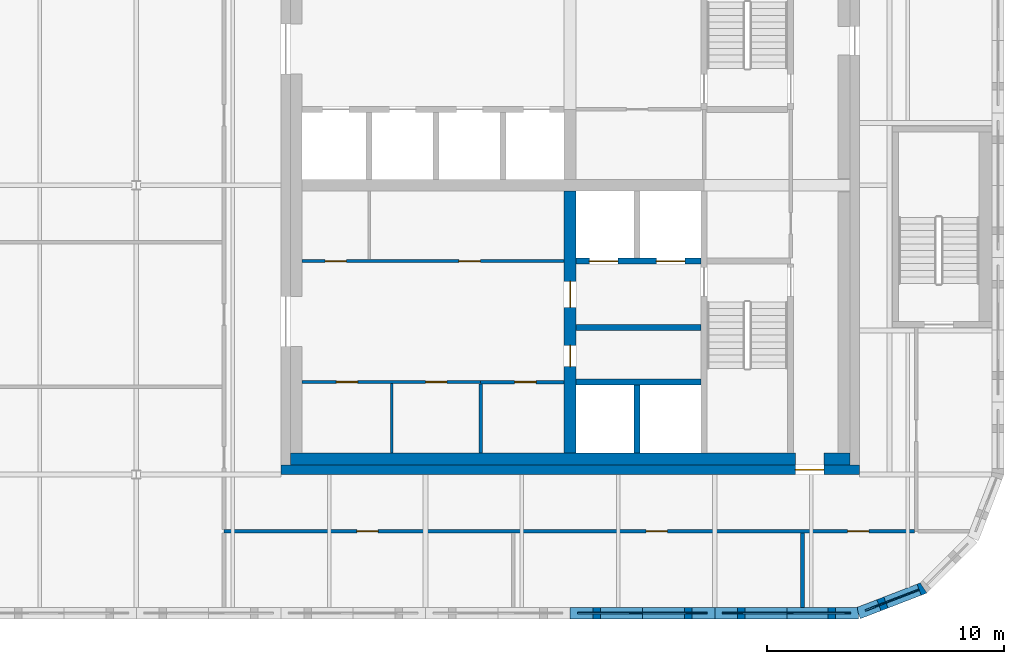
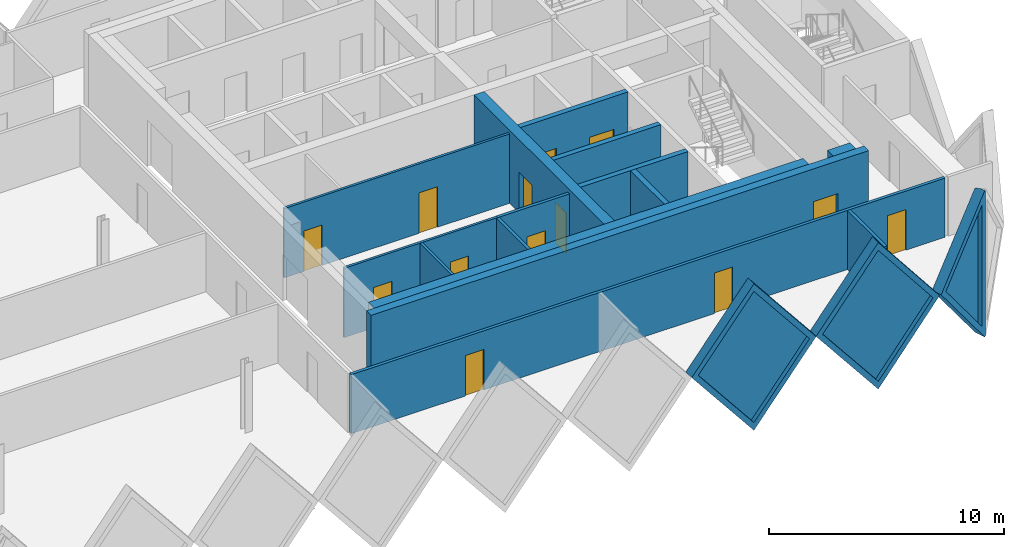
# One storey, part 5 of 11: 18 walls, 13 doors, 3 plates, 16 openings.
"""IFC4 building model written with IfcOpenShell, lengths in metres."""

from ifc_helpers import new_model, si_unit, direction, frame, frame_2d, origin, place, context, subcontext, project, spatial, polyline, rectangle, outline, extrude, faceted_brep, source, transform, mapped, material, layer, layer_set, type_object, element, fill, save


model = new_model("IFC4")

# Units and contexts
model_context = context("Model", 3, precision=1e-05, world=origin(), true_north=direction((0.0, 1.0)))
body_context = subcontext(model_context, "Body", "Model", "MODEL_VIEW")
ifc_project = project(units=[si_unit("LENGTHUNIT", "METRE"), si_unit("AREAUNIT", "SQUARE_METRE"), si_unit("VOLUMEUNIT", "CUBIC_METRE"), si_unit("PLANEANGLEUNIT", "RADIAN"), si_unit("MASSUNIT", "GRAM", prefix="KILO")], contexts=[model_context])

# Site, building, storey
site_placement = place(None, origin())
site = spatial("IfcSite", under=ifc_project, at=site_placement, CompositionType="ELEMENT")
building_placement = place(site_placement, origin())
building = spatial("IfcBuilding", under=site, at=building_placement, Name="Tessera Gate Towers", CompositionType="ELEMENT")
storey_placement = place(building_placement, frame((0.0, 0.0, 240.699951171875)))
storey = spatial("IfcBuildingStorey", under=building, at=storey_placement, Name="L60", CompositionType="ELEMENT", Elevation=240.699951171875)

# Wall, openings, doors
ifc_material_1 = material(Name="Concrete C40/50", Category="concrete")
ifc_layer_1 = layer(ifc_material_1, 0.25)
ifc_layer_set_1 = layer_set([ifc_layer_1], Name="CORE ENCLOSURE WALL 250")
wall_type_1 = type_object("IfcWallType", Name="CORE ENCLOSURE WALL 250", PredefinedType="SOLIDWALL", material=ifc_layer_set_1)
wall_1_placement = place(storey_placement, frame((48.22509765625, 33.39990234375, 0.0), z_axis=(0.0, 0.0, 1.0), x_axis=(-1.0, 0.0, 0.0)))
wall_1 = element("IfcWall", 1, at=wall_1_placement, inside=storey, type_object=wall_type_1, Name="L60 shaft and stair enclosure wall", PredefinedType="SOLIDWALL", context=body_context, shape_type="SweptSolid", body=[
    extrude(rectangle(XDim=5.275146484375, YDim=0.25, at=frame_2d((2.6376953125, 0.0))), origin(), (0.0, 0.0, 1.0), 3.800048828125),
])
shared_shape_1 = source(origin(), body_context, "Body", "SweptSolid", [
    extrude(rectangle(XDim=1.199951171875, YDim=2.10009765625, at=frame_2d((0.60009765625, 1.050048828125))), frame((0.0, 0.135009765625, 0.0), z_axis=(0.0, -1.0, 0.0), x_axis=(1.0, 0.0, 0.0)), (0.0, 0.0, 1.0), 0.27001953125),
])
opening_1_placement = place(wall_1_placement, frame((3.512451171875, 0.0, 0.0)))
opening_1 = element("IfcOpeningElement", 2, at=opening_1_placement, cuts=wall_1, Name="Opening LD-FF1", PredefinedType="OPENING", context=body_context, shape_type="MappedRepresentation", body=[
    mapped(shared_shape_1, transform((0.0, 0.0, 0.0), scale=1.0)),
])
opening_2_placement = place(wall_1_placement, frame((0.6875, 0.0, 0.0)))
opening_2 = element("IfcOpeningElement", 3, at=opening_2_placement, cuts=wall_1, Name="Opening LD-FF2", PredefinedType="OPENING", context=body_context, shape_type="MappedRepresentation", body=[
    mapped(shared_shape_1, transform((0.0, 0.0, 0.0), scale=1.0)),
])
ifc_material_2 = material(Name="Stainless steel", Category="steel")
door_type_1 = type_object("IfcDoorType", Name="CORE DOOR LD1200 1200x2100", OperationType="DOUBLE_DOOR_SLIDING", PredefinedType="DOOR", material=ifc_material_2)
shared_shape_2 = source(origin(), body_context, "Body", "SweptSolid", [
    extrude(rectangle(XDim=1.199951171875, YDim=2.10009765625, at=frame_2d((0.60009765625, 1.050048828125))), frame((0.0, 0.02490234375, 0.0), z_axis=(0.0, -1.0, 0.0), x_axis=(1.0, 0.0, 0.0)), (0.0, 0.0, 1.0), 0.050048828125),
])
door_1_placement = place(opening_1_placement, origin())
door_1 = element("IfcDoor", 4, at=door_1_placement, inside=storey, type_object=door_type_1, Name="Landing door FF1 L60", OperationType="DOUBLE_DOOR_SLIDING", OverallHeight=2.10009765625, OverallWidth=1.199951171875, PredefinedType="DOOR", context=body_context, shape_type="MappedRepresentation", body=[
    mapped(shared_shape_2, transform((0.0, 0.0, 0.0), scale=1.0)),
])
fill(opening_1, door_1)
door_2_placement = place(opening_2_placement, origin())
door_2 = element("IfcDoor", 5, at=door_2_placement, inside=storey, type_object=door_type_1, Name="Landing door FF2 L60", OperationType="DOUBLE_DOOR_SLIDING", OverallHeight=2.10009765625, OverallWidth=1.199951171875, PredefinedType="DOOR", context=body_context, shape_type="MappedRepresentation", body=[
    mapped(shared_shape_2, transform((0.0, 0.0, 0.0), scale=1.0)),
])
fill(opening_2, door_2)

# Walls
for number, where, z_axis, x_axis, name in (
    (6, (42.949951171875, 28.300048828125, 0.0), (0.0, 0.0, 1.0), (1.0, 0.0, 0.0), "L60 shaft and stair enclosure wall"),
    (7, (42.949951171875, 30.60009765625, 0.0), (0.0, 0.0, 1.0), (1.0, 0.0, 0.0), "L60 shaft and stair enclosure wall"),
):
    element("IfcWall", number, at=place(storey_placement, frame(where, z_axis=z_axis, x_axis=x_axis)), inside=storey, type_object=wall_type_1, Name=name, PredefinedType="SOLIDWALL", context=body_context, shape_type="SweptSolid", body=[
        extrude(rectangle(XDim=5.275146484375, YDim=0.25, at=frame_2d((2.6376953125, 0.0))), origin(), (0.0, 0.0, 1.0), 3.800048828125),
    ])
wall_2_placement = place(storey_placement, frame((45.52490234375, 25.300048828125, 0.0), z_axis=(0.0, 0.0, 1.0), x_axis=(0.0, 1.0, 0.0)))
element("IfcWall", 8, at=wall_2_placement, inside=storey, type_object=wall_type_1, Name="L60 shaft and stair enclosure wall", PredefinedType="SOLIDWALL", context=body_context, shape_type="SweptSolid", body=[
    extrude(rectangle(XDim=2.875, YDim=0.25, at=frame_2d((1.4375, 0.0))), origin(), (0.0, 0.0, 1.0), 3.800048828125),
])

# Wall, openings, doors
ifc_material_3 = material(Name="Gypsum board on steel studs", Category="steel")
ifc_layer_2 = layer(ifc_material_3, 0.1201171875)
ifc_layer_set_2 = layer_set([ifc_layer_2], Name="CORE PARTITION 120")
wall_type_2 = type_object("IfcWallType", Name="CORE PARTITION 120", PredefinedType="PARTITIONING", material=ifc_layer_set_2)
wall_3_placement = place(storey_placement, frame((31.39990234375, 33.39990234375, 0.0), z_axis=(0.0, 0.0, 1.0), x_axis=(1.0, 0.0, 0.0)))
wall_3 = element("IfcWall", 9, at=wall_3_placement, inside=storey, type_object=wall_type_2, Name="L60 core partition", PredefinedType="PARTITIONING", context=body_context, shape_type="SweptSolid", body=[
    extrude(rectangle(XDim=11.050048828125, YDim=0.1201171875, at=frame_2d((5.52490234375, 0.0))), origin(), (0.0, 0.0, 1.0), 3.60009765625),
])
shared_shape_3 = source(origin(), body_context, "Body", "SweptSolid", [
    extrude(rectangle(XDim=0.89990234375, YDim=2.10009765625, at=frame_2d((0.449951171875, 1.050048828125))), frame((0.0, 0.070068359375, 0.0), z_axis=(0.0, -1.0, 0.0), x_axis=(1.0, 0.0, 0.0)), (0.0, 0.0, 1.0), 0.14013671875),
])
opening_3_placement = place(wall_3_placement, frame((0.96240234375, 0.0, 0.0)))
opening_3 = element("IfcOpeningElement", 10, at=opening_3_placement, cuts=wall_3, Name="Opening RD-T1-36-07", PredefinedType="OPENING", context=body_context, shape_type="MappedRepresentation", body=[
    mapped(shared_shape_3, transform((0.0, 0.0, 0.0), scale=1.0)),
])
opening_4_placement = place(wall_3_placement, frame((6.612548828125, 0.0, 0.0)))
opening_4 = element("IfcOpeningElement", 11, at=opening_4_placement, cuts=wall_3, Name="Opening RD-T1-36-08", PredefinedType="OPENING", context=body_context, shape_type="MappedRepresentation", body=[
    mapped(shared_shape_3, transform((0.0, 0.0, 0.0), scale=1.0)),
])
ifc_material_4 = material(Name="Hollow steel fire door", Category="steel")
door_type_2 = type_object("IfcDoorType", Name="CORE DOOR RD 900x2100", OperationType="NOTDEFINED", PredefinedType="DOOR", material=ifc_material_4)
shared_shape_4 = source(origin(), body_context, "Body", "SweptSolid", [
    extrude(rectangle(XDim=0.89990234375, YDim=2.10009765625, at=frame_2d((0.449951171875, 1.050048828125))), frame((0.0, 0.02490234375, 0.0), z_axis=(0.0, -1.0, 0.0), x_axis=(1.0, 0.0, 0.0)), (0.0, 0.0, 1.0), 0.050048828125),
])
door_3_placement = place(opening_3_placement, origin())
door_3 = element("IfcDoor", 12, at=door_3_placement, inside=storey, type_object=door_type_2, Name="Core room door", OperationType="SINGLE_SWING_LEFT", OverallHeight=2.10009765625, OverallWidth=0.89990234375, PredefinedType="DOOR", context=body_context, shape_type="MappedRepresentation", body=[
    mapped(shared_shape_4, transform((0.0, 0.0, 0.0), scale=1.0)),
])
fill(opening_3, door_3)
door_4_placement = place(opening_4_placement, origin())
door_4 = element("IfcDoor", 13, at=door_4_placement, inside=storey, type_object=door_type_2, Name="Core room door", OperationType="SINGLE_SWING_RIGHT", OverallHeight=2.10009765625, OverallWidth=0.89990234375, PredefinedType="DOOR", context=body_context, shape_type="MappedRepresentation", body=[
    mapped(shared_shape_4, transform((0.0, 0.0, 0.0), scale=1.0)),
])
fill(opening_4, door_4)

wall_4_placement = place(storey_placement, frame((38.925048828125, 28.300048828125, 0.0), z_axis=(0.0, 0.0, 1.0), x_axis=(-1.0, 0.0, 0.0)))
wall_4 = element("IfcWall", 14, at=wall_4_placement, inside=storey, type_object=wall_type_2, Name="L60 core partition", PredefinedType="PARTITIONING", context=body_context, shape_type="SweptSolid", body=[
    extrude(rectangle(XDim=7.525146484375, YDim=0.1201171875, at=frame_2d((3.7626953125, 0.0))), origin(), (0.0, 0.0, 1.0), 3.60009765625),
])
opening_5_placement = place(wall_4_placement, frame((5.1875, 0.0, 0.0)))
opening_5 = element("IfcOpeningElement", 15, at=opening_5_placement, cuts=wall_4, Name="Opening RD-T1-36-09", PredefinedType="OPENING", context=body_context, shape_type="MappedRepresentation", body=[
    mapped(shared_shape_3, transform((0.0, 0.0, 0.0), scale=1.0)),
])
opening_6_placement = place(wall_4_placement, frame((1.425048828125, 0.0, 0.0)))
opening_6 = element("IfcOpeningElement", 16, at=opening_6_placement, cuts=wall_4, Name="Opening RD-T1-36-10", PredefinedType="OPENING", context=body_context, shape_type="MappedRepresentation", body=[
    mapped(shared_shape_3, transform((0.0, 0.0, 0.0), scale=1.0)),
])
door_5_placement = place(opening_5_placement, origin())
door_5 = element("IfcDoor", 17, at=door_5_placement, inside=storey, type_object=door_type_2, Name="Core room door", OperationType="SINGLE_SWING_RIGHT", OverallHeight=2.10009765625, OverallWidth=0.89990234375, PredefinedType="DOOR", context=body_context, shape_type="MappedRepresentation", body=[
    mapped(shared_shape_4, transform((0.0, 0.0, 0.0), scale=1.0)),
])
fill(opening_5, door_5)
door_6_placement = place(opening_6_placement, origin())
door_6 = element("IfcDoor", 18, at=door_6_placement, inside=storey, type_object=door_type_2, Name="Core room door", OperationType="SINGLE_SWING_LEFT", OverallHeight=2.10009765625, OverallWidth=0.89990234375, PredefinedType="DOOR", context=body_context, shape_type="MappedRepresentation", body=[
    mapped(shared_shape_4, transform((0.0, 0.0, 0.0), scale=1.0)),
])
fill(opening_6, door_6)

# Wall
wall_5_placement = place(storey_placement, frame((35.175048828125, 25.300048828125, 0.0), z_axis=(0.0, 0.0, 1.0), x_axis=(0.0, 1.0, 0.0)))
element("IfcWall", 19, at=wall_5_placement, inside=storey, type_object=wall_type_2, Name="L60 core partition", PredefinedType="PARTITIONING", context=body_context, shape_type="SweptSolid", body=[
    extrude(rectangle(XDim=2.93994140625, YDim=0.1201171875, at=frame_2d((1.469970703125, 0.0))), origin(), (0.0, 0.0, 1.0), 3.60009765625),
])

# Wall, opening, door
ifc_material_5 = material(Name="Concrete C40/50", Category="concrete")
ifc_layer_3 = layer(ifc_material_5, 0.39990234375)
ifc_layer_set_3 = layer_set([ifc_layer_3], Name="CORE SHEAR WALL 400 C40/50")
wall_type_3 = type_object("IfcWallType", Name="CORE SHEAR WALL 400 C40/50", PredefinedType="SHEAR", material=ifc_layer_set_3)
wall_6_placement = place(storey_placement, frame((54.89990234375, 24.60009765625, 0.0), z_axis=(0.0, 0.0, 1.0), x_axis=(-1.0, 0.0, 0.0)))
wall_6 = element("IfcWall", 20, at=wall_6_placement, inside=storey, type_object=wall_type_3, Name="Core wall S L60", PredefinedType="SHEAR", context=body_context, shape_type="SweptSolid", body=[
    extrude(rectangle(XDim=24.39990234375, YDim=0.39990234375, at=frame_2d((12.199951171875, 0.0))), origin(), (0.0, 0.0, 1.0), 3.800048828125),
])
shared_shape_5 = source(origin(), body_context, "Body", "SweptSolid", [
    extrude(rectangle(XDim=1.199951171875, YDim=2.10009765625, at=frame_2d((0.60009765625, 1.050048828125))), frame((0.0, 0.2099609375, 0.0), z_axis=(0.0, -1.0, 0.0), x_axis=(1.0, 0.0, 0.0)), (0.0, 0.0, 1.0), 0.419921875),
])
opening_7_placement = place(wall_6_placement, frame((1.5, 0.0, 0.0)))
opening_7 = element("IfcOpeningElement", 21, at=opening_7_placement, cuts=wall_6, Name="Opening ED-T1-36-01", PredefinedType="OPENING", context=body_context, shape_type="MappedRepresentation", body=[
    mapped(shared_shape_5, transform((0.0, 0.0, 0.0), scale=1.0)),
])
ifc_material_6 = material(Name="Hollow steel fire door", Category="steel")
door_type_3 = type_object("IfcDoorType", Name="CORE DOOR ED 1200x2100", OperationType="NOTDEFINED", PredefinedType="DOOR", material=ifc_material_6)
door_7_placement = place(opening_7_placement, origin())
door_7 = element("IfcDoor", 22, at=door_7_placement, inside=storey, type_object=door_type_3, Name="Core exit door", OperationType="SINGLE_SWING_LEFT", OverallHeight=2.10009765625, OverallWidth=1.199951171875, PredefinedType="DOOR", context=body_context, shape_type="MappedRepresentation", body=[
    mapped(shared_shape_2, transform((0.0, 0.0, 0.0), scale=1.0)),
])
fill(opening_7, door_7)

# Wall, openings, doors
ifc_material_7 = material(Name="Concrete C40/50", Category="concrete")
ifc_layer_4 = layer(ifc_material_7, 0.5)
ifc_layer_set_4 = layer_set([ifc_layer_4], Name="CORE SPINE WALL 500 C40/50")
wall_type_4 = type_object("IfcWallType", Name="CORE SPINE WALL 500 C40/50", PredefinedType="SHEAR", material=ifc_layer_set_4)
wall_7_placement = place(storey_placement, frame((42.699951171875, 36.35009765625, 0.0), z_axis=(0.0, 0.0, 1.0), x_axis=(0.0, -1.0, 0.0)))
wall_7 = element("IfcWall", 23, at=wall_7_placement, inside=storey, type_object=wall_type_4, Name="Core wall spine L60", PredefinedType="SHEAR", context=body_context, shape_type="SweptSolid", body=[
    extrude(rectangle(XDim=11.050048828125, YDim=0.5, at=frame_2d((5.52490234375, 0.0))), origin(), (0.0, 0.0, 1.0), 3.800048828125),
])
shared_shape_6 = source(origin(), body_context, "Body", "SweptSolid", [
    extrude(rectangle(XDim=0.89990234375, YDim=2.10009765625, at=frame_2d((0.449951171875, 1.050048828125))), frame((0.0, 0.260009765625, 0.0), z_axis=(0.0, -1.0, 0.0), x_axis=(1.0, 0.0, 0.0)), (0.0, 0.0, 1.0), 0.52001953125),
])
opening_8_placement = place(wall_7_placement, frame((6.5, 0.0, 0.0)))
opening_8 = element("IfcOpeningElement", 24, at=opening_8_placement, cuts=wall_7, Name="Opening RD-T1-36-05", PredefinedType="OPENING", context=body_context, shape_type="MappedRepresentation", body=[
    mapped(shared_shape_6, transform((0.0, 0.0, 0.0), scale=1.0)),
])
shared_shape_7 = source(origin(), body_context, "Body", "SweptSolid", [
    extrude(rectangle(XDim=1.10009765625, YDim=2.10009765625, at=frame_2d((0.550048828125, 1.050048828125))), frame((0.0, 0.260009765625, 0.0), z_axis=(0.0, -1.0, 0.0), x_axis=(1.0, 0.0, 0.0)), (0.0, 0.0, 1.0), 0.52001953125),
])
opening_9_placement = place(wall_7_placement, frame((3.800048828125, 0.0, 0.0)))
opening_9 = element("IfcOpeningElement", 25, at=opening_9_placement, cuts=wall_7, Name="Opening FD-T1-36-06", PredefinedType="OPENING", context=body_context, shape_type="MappedRepresentation", body=[
    mapped(shared_shape_7, transform((0.0, 0.0, 0.0), scale=1.0)),
])
door_8_placement = place(opening_8_placement, origin())
door_8 = element("IfcDoor", 26, at=door_8_placement, inside=storey, type_object=door_type_2, Name="Core room door", OperationType="SINGLE_SWING_RIGHT", OverallHeight=2.10009765625, OverallWidth=0.89990234375, PredefinedType="DOOR", context=body_context, shape_type="MappedRepresentation", body=[
    mapped(shared_shape_4, transform((0.0, 0.0, 0.0), scale=1.0)),
])
fill(opening_8, door_8)
ifc_material_8 = material(Name="Hollow steel fire door", Category="steel")
door_type_4 = type_object("IfcDoorType", Name="CORE DOOR FD 1100x2100", OperationType="NOTDEFINED", PredefinedType="DOOR", material=ifc_material_8)
shared_shape_8 = source(origin(), body_context, "Body", "SweptSolid", [
    extrude(rectangle(XDim=1.10009765625, YDim=2.10009765625, at=frame_2d((0.550048828125, 1.050048828125))), frame((0.0, 0.02490234375, 0.0), z_axis=(0.0, -1.0, 0.0), x_axis=(1.0, 0.0, 0.0)), (0.0, 0.0, 1.0), 0.050048828125),
])
door_9_placement = place(opening_9_placement, origin())
door_9 = element("IfcDoor", 27, at=door_9_placement, inside=storey, type_object=door_type_4, Name="Fire-fighting lobby door", OperationType="SINGLE_SWING_LEFT", OverallHeight=2.10009765625, OverallWidth=1.10009765625, PredefinedType="DOOR", context=body_context, shape_type="MappedRepresentation", body=[
    mapped(shared_shape_8, transform((0.0, 0.0, 0.0), scale=1.0)),
])
fill(opening_9, door_9)

# Walls
ifc_material_9 = material(Name="Concrete C40/50", Category="concrete")
ifc_layer_5 = layer(ifc_material_9, 0.5)
ifc_layer_set_5 = layer_set([ifc_layer_5], Name="CORE WALL THICKENING 500")
wall_type_5 = type_object("IfcWallType", Name="CORE WALL THICKENING 500", PredefinedType="SOLIDWALL", material=ifc_layer_set_5)
wall_8_placement = place(storey_placement, frame((30.89990234375, 25.050048828125, 0.0), z_axis=(0.0, 0.0, 1.0), x_axis=(1.0, 0.0, 0.0)))
element("IfcWall", 28, at=wall_8_placement, inside=storey, type_object=wall_type_5, Name="Core wall thickening S L60", PredefinedType="SOLIDWALL", context=body_context, shape_type="SweptSolid", body=[
    extrude(rectangle(XDim=21.300048828125, YDim=0.5, at=frame_2d((10.64990234375, 0.0))), origin(), (0.0, 0.0, 1.0), 3.800048828125),
])
wall_9_placement = place(storey_placement, frame((53.39990234375, 25.050048828125, 0.0), z_axis=(0.0, 0.0, 1.0), x_axis=(1.0, 0.0, 0.0)))
element("IfcWall", 29, at=wall_9_placement, inside=storey, type_object=wall_type_5, Name="Core wall thickening S L60", PredefinedType="SOLIDWALL", context=body_context, shape_type="SweptSolid", body=[
    extrude(rectangle(XDim=1.10009765625, YDim=0.5, at=frame_2d((0.550048828125, 0.0))), origin(), (0.0, 0.0, 1.0), 3.800048828125),
])

# Wall, openings, doors
ifc_material_10 = material(Name="Gypsum board on steel studs, mineral wool", Category="steel")
ifc_layer_6 = layer(ifc_material_10, 0.14990234375)
ifc_layer_set_6 = layer_set([ifc_layer_6], Name="CORRIDOR WALL 150")
wall_type_6 = type_object("IfcWallType", Name="CORRIDOR WALL 150", PredefinedType="PARTITIONING", material=ifc_layer_set_6)
wall_10_placement = place(storey_placement, frame((57.22412109375, 22.0, 0.0), z_axis=(0.0, 0.0, 1.0), x_axis=(-1.0, 0.0, 0.0)))
wall_10 = element("IfcWall", 30, at=wall_10_placement, inside=storey, type_object=wall_type_6, Name="T1-L60-PW-006", PredefinedType="PARTITIONING", context=body_context, shape_type="SweptSolid", body=[
    extrude(rectangle(XDim=29.1240234375, YDim=0.14990234375, at=frame_2d((14.56201171875, 0.0))), origin(), (0.0, 0.0, 1.0), 3.067138671875),
])
shared_shape_9 = source(origin(), body_context, "Body", "SweptSolid", [
    extrude(rectangle(XDim=0.89990234375, YDim=2.10009765625, at=frame_2d((0.449951171875, 1.050048828125))), frame((0.0, 0.0849609375, 0.0), z_axis=(0.0, -1.0, 0.0), x_axis=(1.0, 0.0, 0.0)), (0.0, 0.0, 1.0), 0.169921875),
])
opening_10_placement = place(wall_10_placement, frame((1.923095703125, 0.0, 0.0)))
opening_10 = element("IfcOpeningElement", 31, at=opening_10_placement, cuts=wall_10, Name="Opening D890FD60-A21-01", PredefinedType="OPENING", context=body_context, shape_type="MappedRepresentation", body=[
    mapped(shared_shape_9, transform((0.0, 0.0, 0.0), scale=1.0)),
])
opening_11_placement = place(wall_10_placement, frame((22.6240234375, 0.0, 0.0)))
opening_11 = element("IfcOpeningElement", 32, at=opening_11_placement, cuts=wall_10, Name="Opening D890FD60-A21-10", PredefinedType="OPENING", context=body_context, shape_type="MappedRepresentation", body=[
    mapped(shared_shape_9, transform((0.0, 0.0, 0.0), scale=1.0)),
])
opening_12_placement = place(wall_10_placement, frame((10.424072265625, 0.0, 0.0)))
opening_12 = element("IfcOpeningElement", 33, at=opening_12_placement, cuts=wall_10, Name="Opening D890FD60-A21-12", PredefinedType="OPENING", context=body_context, shape_type="MappedRepresentation", body=[
    mapped(shared_shape_9, transform((0.0, 0.0, 0.0), scale=1.0)),
])
ifc_material_11 = material(Name="Timber door leaf in steel frame", Category="steel")
door_type_5 = type_object("IfcDoorType", Name="CORRIDOR DOOR 900 FD60", OperationType="NOTDEFINED", PredefinedType="DOOR", material=ifc_material_11)
door_10_placement = place(opening_10_placement, origin())
door_10 = element("IfcDoor", 34, at=door_10_placement, inside=storey, type_object=door_type_5, Name="T1-L60-PD-002", OperationType="SINGLE_SWING_RIGHT", OverallHeight=2.10009765625, OverallWidth=0.89990234375, PredefinedType="DOOR", context=body_context, shape_type="MappedRepresentation", body=[
    mapped(shared_shape_4, transform((0.0, 0.0, 0.0), scale=1.0)),
])
fill(opening_10, door_10)
door_11_placement = place(opening_11_placement, origin())
door_11 = element("IfcDoor", 35, at=door_11_placement, inside=storey, type_object=door_type_5, Name="T1-L60-PD-018", OperationType="SINGLE_SWING_RIGHT", OverallHeight=2.10009765625, OverallWidth=0.89990234375, PredefinedType="DOOR", context=body_context, shape_type="MappedRepresentation", body=[
    mapped(shared_shape_4, transform((0.0, 0.0, 0.0), scale=1.0)),
])
fill(opening_11, door_11)
door_12_placement = place(opening_12_placement, origin())
door_12 = element("IfcDoor", 36, at=door_12_placement, inside=storey, type_object=door_type_5, Name="T1-L60-PD-020", OperationType="SINGLE_SWING_RIGHT", OverallHeight=2.10009765625, OverallWidth=0.89990234375, PredefinedType="DOOR", context=body_context, shape_type="MappedRepresentation", body=[
    mapped(shared_shape_4, transform((0.0, 0.0, 0.0), scale=1.0)),
])
fill(opening_12, door_12)

# Wall, opening, door
ifc_material_12 = material(Name="Gypsum board on steel studs", Category="steel")
ifc_layer_7 = layer(ifc_material_12, 0.14990234375)
ifc_layer_set_7 = layer_set([ifc_layer_7], Name="SERVICE ROOM WALL 150")
wall_type_7 = type_object("IfcWallType", Name="SERVICE ROOM WALL 150", PredefinedType="PARTITIONING", material=ifc_layer_set_7)
wall_11_placement = place(storey_placement, frame((42.449951171875, 28.300048828125, 0.0), z_axis=(0.0, 0.0, 1.0), x_axis=(-1.0, 0.0, 0.0)))
wall_11 = element("IfcWall", 37, at=wall_11_placement, inside=storey, type_object=wall_type_7, Name="L60 service room wall", PredefinedType="PARTITIONING", context=body_context, shape_type="SweptSolid", body=[
    extrude(rectangle(XDim=3.52490234375, YDim=0.14990234375, at=frame_2d((1.762451171875, 0.0))), origin(), (0.0, 0.0, 1.0), 3.60009765625),
])
opening_13_placement = place(wall_11_placement, frame((1.1875, 0.0, 0.0)))
opening_13 = element("IfcOpeningElement", 38, at=opening_13_placement, cuts=wall_11, Name="Opening RD-T1-36-13", PredefinedType="OPENING", context=body_context, shape_type="MappedRepresentation", body=[
    mapped(shared_shape_9, transform((0.0, 0.0, 0.0), scale=1.0)),
])
door_13_placement = place(opening_13_placement, origin())
door_13 = element("IfcDoor", 39, at=door_13_placement, inside=storey, type_object=door_type_2, Name="Core room door", OperationType="SINGLE_SWING_LEFT", OverallHeight=2.10009765625, OverallWidth=0.89990234375, PredefinedType="DOOR", context=body_context, shape_type="MappedRepresentation", body=[
    mapped(shared_shape_4, transform((0.0, 0.0, 0.0), scale=1.0)),
])
fill(opening_13, door_13)

# Walls
wall_12_placement = place(storey_placement, frame((38.925048828125, 25.300048828125, 0.0), z_axis=(0.0, 0.0, 1.0), x_axis=(0.0, 1.0, 0.0)))
element("IfcWall", 40, at=wall_12_placement, inside=storey, type_object=wall_type_7, Name="L60 service room wall", PredefinedType="PARTITIONING", context=body_context, shape_type="SweptSolid", body=[
    extrude(rectangle(XDim=2.925048828125, YDim=0.14990234375, at=frame_2d((1.46240234375, 0.0))), origin(), (0.0, 0.0, 1.0), 3.60009765625),
])
ifc_material_13 = material(Name="Gypsum board on steel studs, mineral wool", Category="steel")
ifc_layer_8 = layer(ifc_material_13, 0.14990234375)
ifc_layer_set_8 = layer_set([ifc_layer_8], Name="TENANCY WALL 150")
wall_type_8 = type_object("IfcWallType", Name="TENANCY WALL 150", PredefinedType="PARTITIONING", material=ifc_layer_set_8)
wall_13_placement = place(storey_placement, frame((52.5, 18.800048828125, 0.0), z_axis=(0.0, 0.0, 1.0), x_axis=(0.0, 1.0, 0.0)))
element("IfcWall", 41, at=wall_13_placement, inside=storey, type_object=wall_type_8, Name="T1-L60-PW-003", PredefinedType="PARTITIONING", context=body_context, shape_type="SweptSolid", body=[
    extrude(rectangle(XDim=3.1240234375, YDim=0.14990234375, at=frame_2d((1.56201171875, 0.0))), origin(), (0.0, 0.0, 1.0), 3.067138671875),
])

# Wall, opening, plate
ifc_material_14 = material(Name="Precast concrete C60/75 white", Category="concrete")
ifc_layer_9 = layer(ifc_material_14, 0.5)
ifc_layer_set_9 = layer_set([ifc_layer_9], Name="TS1 tessera")
wall_type_9 = type_object("IfcWallType", Name="TS1 tessera", PredefinedType="SOLIDWALL", material=ifc_layer_set_9)
shared_shape_10 = source(origin(), body_context, "Body", "SweptSolid", [
    extrude(outline(polyline([(3.050048828125, 0.0), (6.10009765625, 3.800048828125), (3.050048828125, 7.60009765625), (0.0, 3.800048828125), (3.050048828125, 0.0)])), frame((0.0, 0.25, 0.0), z_axis=(0.0, -1.0, 0.0), x_axis=(1.0, 0.0, 0.0)), (0.0, 0.0, 1.0), 0.5),
])
wall_14_placement = place(storey_placement, frame((42.699951171875, 18.550048828125, -3.800048828125), z_axis=(0.0, 0.0, 1.0), x_axis=(1.0, 0.0, 0.0)))
wall_14 = element("IfcWall", 42, at=wall_14_placement, inside=storey, type_object=wall_type_9, Name="Precast tessera T1 TS1-1041", PredefinedType="SOLIDWALL", context=body_context, shape_type="MappedRepresentation", body=[
    mapped(shared_shape_10, transform((0.0, 0.0, 0.0), scale=1.0)),
])
shared_shape_11 = source(origin(), body_context, "Body", "SweptSolid", [
    extrude(outline(polyline([(3.050048828125, 0.3994140625), (5.779541015625, 3.800048828125), (3.050048828125, 7.20068359375), (0.320556640625, 3.800048828125), (3.050048828125, 0.3994140625)])), frame((0.0, 0.260009765625, 0.0), z_axis=(0.0, -1.0, 0.0), x_axis=(1.0, 0.0, 0.0)), (0.0, 0.0, 1.0), 0.52001953125),
])
opening_14_placement = place(wall_14_placement, origin())
opening_14 = element("IfcOpeningElement", 43, at=opening_14_placement, cuts=wall_14, Name="Opening T1-PL2-2125", PredefinedType="OPENING", context=body_context, shape_type="MappedRepresentation", body=[
    mapped(shared_shape_11, transform((0.0, 0.0, 0.0), scale=1.0)),
])
ifc_material_15 = material(Name="Low-e laminated glass", Category="glass")
ifc_layer_10 = layer(ifc_material_15, 0.06005859375)
ifc_layer_set_10 = layer_set([ifc_layer_10], Name="PL2 rhombic pane")
plate_type = type_object("IfcPlateType", Name="PL2 rhombic pane", PredefinedType="SHEET", material=ifc_layer_set_10)
shared_shape_12 = source(origin(), body_context, "Body", "SweptSolid", [
    extrude(outline(polyline([(3.050048828125, 0.3994140625), (5.779541015625, 3.800048828125), (3.050048828125, 7.20068359375), (0.320556640625, 3.800048828125), (3.050048828125, 0.3994140625)])), frame((0.0, 0.030029296875, 0.0), z_axis=(0.0, -1.0, 0.0), x_axis=(1.0, 0.0, 0.0)), (0.0, 0.0, 1.0), 0.06005859375),
])
plate_1_placement = place(opening_14_placement, origin())
plate_1 = element("IfcPlate", 44, at=plate_1_placement, inside=storey, type_object=plate_type, Name="Glass pane T1 PL2-2125", PredefinedType="SHEET", context=body_context, shape_type="MappedRepresentation", body=[
    mapped(shared_shape_12, transform((0.0, 0.0, 0.0), scale=1.0)),
])
fill(opening_14, plate_1)

shared_shape_13 = source(origin(), body_context, "Body", "Brep", [
    faceted_brep([(3.050048828125, -0.25, 0.0), (6.053466796875, -0.25, 3.800048828125), (3.050048828125, -0.25, 7.60009765625), (0.0, -0.25, 3.800048828125), (0.0, 0.25, 3.800048828125), (3.050048828125, 0.25, 7.60009765625), (6.0068359375, 0.25, 3.85888671875), (6.0068359375, 0.25, 3.7412109375), (3.050048828125, 0.25, 0.0), (6.053466796875, 0.0, 3.800048828125)], [[[0, 1, 2, 3]], [[4, 5, 6, 7, 8]], [[8, 7, 9, 1, 0]], [[6, 5, 2, 1, 9]], [[5, 4, 3, 2]], [[4, 8, 0, 3]], [[9, 7, 6]]]),
])
wall_15_placement = place(storey_placement, frame((48.800048828125, 18.550048828125, -3.800048828125), z_axis=(0.0, 0.0, 1.0), x_axis=(1.0, 0.0, 0.0)))
wall_15 = element("IfcWall", 45, at=wall_15_placement, inside=storey, type_object=wall_type_9, Name="Precast tessera T1 TS1-1042", PredefinedType="SOLIDWALL", context=body_context, shape_type="MappedRepresentation", body=[
    mapped(shared_shape_13, transform((0.0, 0.0, 0.0), scale=1.0)),
])
shared_shape_14 = source(origin(), body_context, "Body", "SweptSolid", [
    extrude(outline(polyline([(3.048583984375, 0.4013671875), (5.73486328125, 3.800048828125), (3.048583984375, 7.19873046875), (0.320556640625, 3.800048828125), (3.048583984375, 0.4013671875)])), frame((0.0, 0.260009765625, 0.0), z_axis=(0.0, -1.0, 0.0), x_axis=(1.0, 0.0, 0.0)), (0.0, 0.0, 1.0), 0.52001953125),
])
opening_15_placement = place(wall_15_placement, origin())
opening_15 = element("IfcOpeningElement", 46, at=opening_15_placement, cuts=wall_15, Name="Opening T1-PL2-2126", PredefinedType="OPENING", context=body_context, shape_type="MappedRepresentation", body=[
    mapped(shared_shape_14, transform((0.0, 0.0, 0.0), scale=1.0)),
])
shared_shape_15 = source(origin(), body_context, "Body", "SweptSolid", [
    extrude(outline(polyline([(3.048583984375, 0.4013671875), (5.73486328125, 3.800048828125), (3.048583984375, 7.19873046875), (0.320556640625, 3.800048828125), (3.048583984375, 0.4013671875)])), frame((0.0, 0.030029296875, 0.0), z_axis=(0.0, -1.0, 0.0), x_axis=(1.0, 0.0, 0.0)), (0.0, 0.0, 1.0), 0.06005859375),
])
plate_2_placement = place(opening_15_placement, origin())
plate_2 = element("IfcPlate", 47, at=plate_2_placement, inside=storey, type_object=plate_type, Name="Glass pane T1 PL2-2126", PredefinedType="SHEET", context=body_context, shape_type="MappedRepresentation", body=[
    mapped(shared_shape_15, transform((0.0, 0.0, 0.0), scale=1.0)),
])
fill(opening_15, plate_2)

ifc_material_16 = material(Name="Precast concrete C60/75 white", Category="concrete")
ifc_layer_11 = layer(ifc_material_16, 0.5)
ifc_layer_set_11 = layer_set([ifc_layer_11], Name="TS3 corner tessera")
wall_type_10 = type_object("IfcWallType", Name="TS3 corner tessera", PredefinedType="SOLIDWALL", material=ifc_layer_set_11)
shared_shape_16 = source(origin(), body_context, "Body", "Brep", [
    faceted_brep([(2.950439453125, -0.25, 0.0), (3.00341796875, -0.25, 0.068359375), (3.00341796875, -0.25, 7.53173828125), (2.950439453125, -0.25, 7.60009765625), (0.0, -0.25, 3.800048828125), (0.046630859375, 0.25, 3.860107421875), (2.897705078125, 0.25, 7.531982421875), (2.897705078125, 0.25, 0.068115234375), (0.046630859375, 0.25, 3.739990234375), (2.950439453125, 0.00048828125, 0.0), (2.950439453125, 0.00048828125, 7.60009765625), (0.0, 0.0, 3.800048828125)], [[[0, 1, 2, 3, 4]], [[5, 6, 7, 8]], [[1, 0, 9]], [[10, 3, 2]], [[6, 5, 11, 4, 3, 10]], [[8, 7, 9, 0, 4, 11]], [[8, 11, 5]], [[1, 9, 7, 6, 10, 2]]]),
])
wall_16_placement = place(storey_placement, frame((54.853515625, 18.550048828125, -3.800048828125), z_axis=(0.0, 0.0, 1.0), x_axis=(0.932997369089, 0.359883188373, 0.0)))
wall_16 = element("IfcWall", 48, at=wall_16_placement, inside=storey, type_object=wall_type_10, Name="Precast corner tessera T1 TS3-1385", PredefinedType="SOLIDWALL", context=body_context, shape_type="MappedRepresentation", body=[
    mapped(shared_shape_16, transform((0.0, 0.0, 0.0), scale=1.0)),
])
shared_shape_17 = source(origin(), body_context, "Body", "SweptSolid", [
    extrude(outline(polyline([(2.75048828125, 6.934814453125), (0.31640625, 3.800048828125), (2.75048828125, 0.665283203125), (2.75048828125, 6.934814453125)])), frame((0.0, 0.260009765625, 0.0), z_axis=(0.0, -1.0, 0.0), x_axis=(1.0, 0.0, 0.0)), (0.0, 0.0, 1.0), 0.52001953125),
])
opening_16_placement = place(wall_16_placement, origin())
opening_16 = element("IfcOpeningElement", 49, at=opening_16_placement, cuts=wall_16, Name="Opening T1-PL2-2127", PredefinedType="OPENING", context=body_context, shape_type="MappedRepresentation", body=[
    mapped(shared_shape_17, transform((0.0, 0.0, 0.0), scale=1.0)),
])
shared_shape_18 = source(origin(), body_context, "Body", "SweptSolid", [
    extrude(outline(polyline([(2.75048828125, 6.934814453125), (0.31640625, 3.800048828125), (2.75048828125, 0.665283203125), (2.75048828125, 6.934814453125)])), frame((0.0, 0.030029296875, 0.0), z_axis=(0.0, -1.0, 0.0), x_axis=(1.0, 0.0, 0.0)), (0.0, 0.0, 1.0), 0.06005859375),
])
plate_3_placement = place(opening_16_placement, origin())
plate_3 = element("IfcPlate", 50, at=plate_3_placement, inside=storey, type_object=plate_type, Name="Glass pane T1 PL2-2127", PredefinedType="SHEET", context=body_context, shape_type="MappedRepresentation", body=[
    mapped(shared_shape_18, transform((0.0, 0.0, 0.0), scale=1.0)),
])
fill(opening_16, plate_3)

save(model, "model.ifc")
